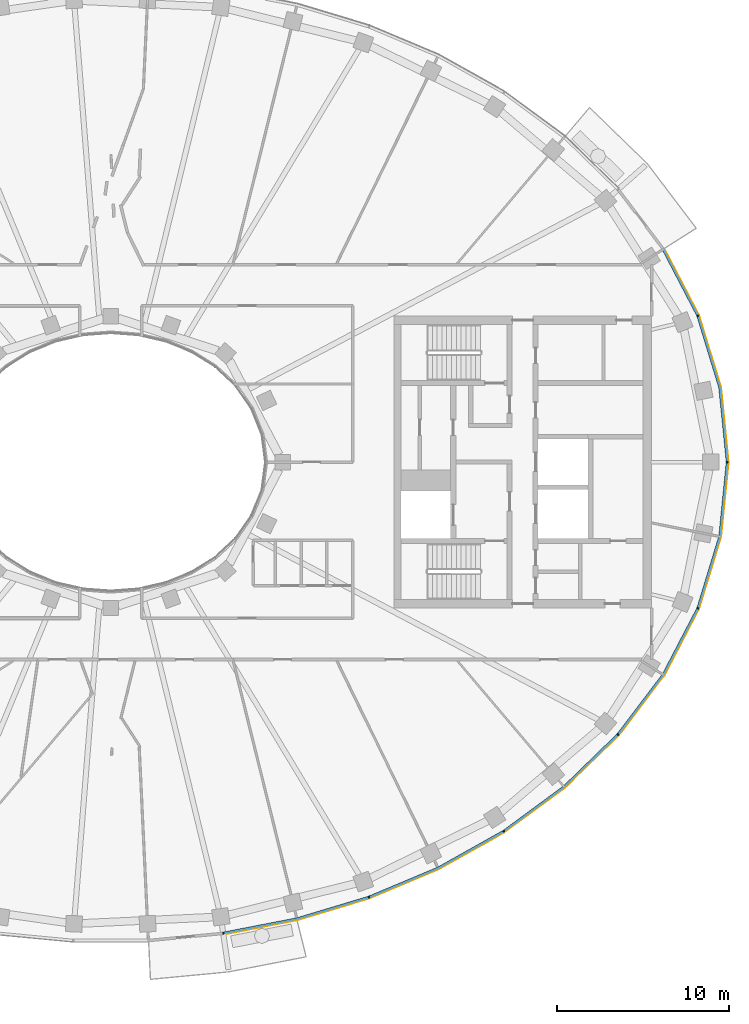
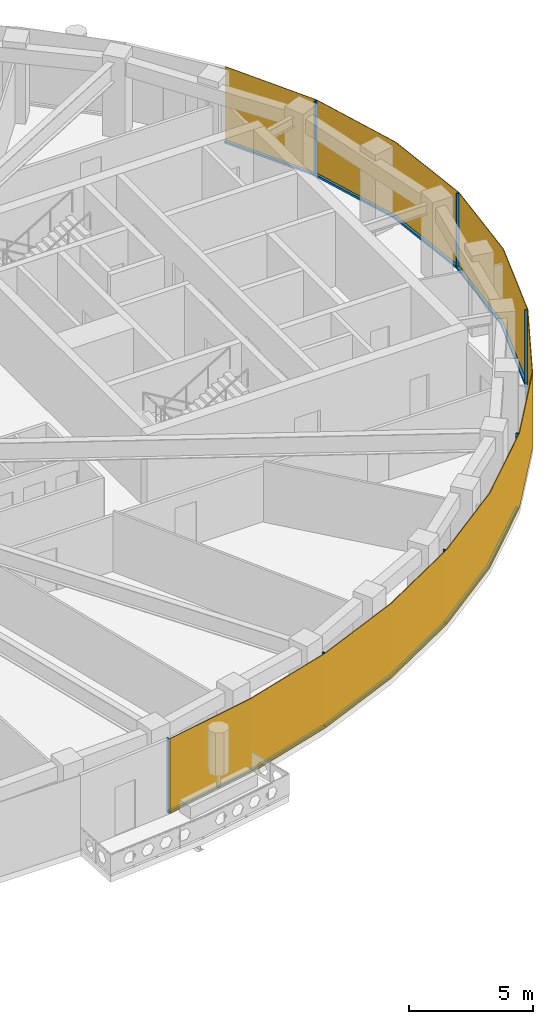
# One storey, part 10 of 16: 14 members, 1 curtain wall.
"""IFC4 building model written with IfcOpenShell, lengths in metres."""

from ifc_helpers import new_model, si_unit, direction, frame, origin, origin_2d, place, context, subcontext, project, spatial, polyline, rectangle, outline, extrude, material, layer, layer_set, material_profile, profile_set, type_object, element, aggregate, save


model = new_model("IFC4")

# Units and contexts
model_context = context("Model", 3, precision=1e-05, world=origin(), true_north=direction((0.0, 1.0)))
body_context = subcontext(model_context, "Body", "Model", "MODEL_VIEW")
ifc_project = project(units=[si_unit("LENGTHUNIT", "METRE"), si_unit("AREAUNIT", "SQUARE_METRE"), si_unit("VOLUMEUNIT", "CUBIC_METRE"), si_unit("PLANEANGLEUNIT", "RADIAN"), si_unit("MASSUNIT", "GRAM", prefix="KILO")], contexts=[model_context])

# Member
ifc_material_1 = material(Name="Aluminium 6063-T6 black anodised", Category="aluminium")
ifc_material_profile = material_profile(ifc_material_1, rectangle(XDim=0.1201171875, YDim=0.06005859375, at=origin_2d()), Name="120x60")
ifc_profile_set = profile_set([ifc_material_profile], Name="Aluminium 6063-T6 black anodised")
member_type_1 = type_object("IfcMemberType", Name="ENV-MULLION-A-120", PredefinedType="MULLION", material=ifc_profile_set)
site_placement = place(None, origin())
building_placement = place(site_placement, origin())
storey_placement = place(building_placement, frame((0.0, 0.0, 311.0)))
member_1_placement = place(storey_placement, frame((6.54638671875, -27.440185546875, 0.0), z_axis=(0.0, 0.0, 1.0), x_axis=(-0.143082012705, 0.989710835366, 0.0)))
member_1 = element("IfcMember", 1, at=member_1_placement, type_object=member_type_1, Name="Mullion A radial 37", PredefinedType="MULLION", context=body_context, shape_type="SweptSolid", body=[
    extrude(rectangle(XDim=0.1201171875, YDim=0.06005859375, at=origin_2d()), origin(), (0.0, 0.0, 1.0), 3.699951171875),
])

member_2_placement = place(storey_placement, frame((15.0341796875, -25.34375, 0.0), z_axis=(0.0, 0.0, 1.0), x_axis=(-0.338379256581, 0.941009818608, 0.0)))
member_2 = element("IfcMember", 2, at=member_2_placement, type_object=member_type_1, Name="Mullion A radial 39", PredefinedType="MULLION", context=body_context, shape_type="SweptSolid", body=[
    extrude(rectangle(XDim=0.1201171875, YDim=0.06005859375, at=origin_2d()), origin(), (0.0, 0.0, 1.0), 3.699951171875),
])

member_3_placement = place(storey_placement, frame((22.882568359375, -21.506591796875, 0.0), z_axis=(0.0, 0.0, 1.0), x_axis=(-0.542279153225, 0.840198381323, 0.0)))
member_3 = element("IfcMember", 3, at=member_3_placement, type_object=member_type_1, Name="Mullion A radial 41", PredefinedType="MULLION", context=body_context, shape_type="SweptSolid", body=[
    extrude(rectangle(XDim=0.1201171875, YDim=0.06005859375, at=origin_2d()), origin(), (0.0, 0.0, 1.0), 3.699951171875),
])

member_4_placement = place(storey_placement, frame((29.53857421875, -15.8671875, 0.0), z_axis=(0.0, 0.0, 1.0), x_axis=(-0.749047221705, 0.662516610853, 0.0)))
member_4 = element("IfcMember", 4, at=member_4_placement, type_object=member_type_1, Name="Mullion A radial 43", PredefinedType="MULLION", context=body_context, shape_type="SweptSolid", body=[
    extrude(rectangle(XDim=0.1201171875, YDim=0.06005859375, at=origin_2d()), origin(), (0.0, 0.0, 1.0), 3.699951171875),
])

member_5_placement = place(storey_placement, frame((34.19580078125, -8.513916015625, 0.0), z_axis=(0.0, 0.0, 1.0), x_axis=(-0.92546738067, 0.378827305398, 0.0)))
member_5 = element("IfcMember", 5, at=member_5_placement, type_object=member_type_1, Name="Mullion A radial 45", PredefinedType="MULLION", context=body_context, shape_type="SweptSolid", body=[
    extrude(rectangle(XDim=0.1201171875, YDim=0.06005859375, at=origin_2d()), origin(), (0.0, 0.0, 1.0), 3.699951171875),
])

member_6_placement = place(storey_placement, frame((35.907958984375, 0.0, 0.0), z_axis=(0.0, 0.0, 1.0), x_axis=(-1.0, 0.0, 0.0)))
member_6 = element("IfcMember", 6, at=member_6_placement, type_object=member_type_1, Name="Mullion A radial 01", PredefinedType="MULLION", context=body_context, shape_type="SweptSolid", body=[
    extrude(rectangle(XDim=0.1201171875, YDim=0.06005859375, at=origin_2d()), origin(), (0.0, 0.0, 1.0), 3.699951171875),
])

member_7_placement = place(storey_placement, frame((34.19580078125, 8.513916015625, 0.0), z_axis=(0.0, 0.0, 1.0), x_axis=(-0.92546738067, -0.378827305398, 0.0)))
member_7 = element("IfcMember", 7, at=member_7_placement, type_object=member_type_1, Name="Mullion A radial 03", PredefinedType="MULLION", context=body_context, shape_type="SweptSolid", body=[
    extrude(rectangle(XDim=0.1201171875, YDim=0.06005859375, at=origin_2d()), origin(), (0.0, 0.0, 1.0), 3.699951171875),
])

ifc_material_2 = material(Name="Aluminium 6063-T6 black anodised", Category="aluminium")
member_type_2 = type_object("IfcMemberType", Name="ENV-TRANSOM-A", PredefinedType="USERDEFINED", material=ifc_material_2)
member_8_placement = place(storey_placement, origin())
member_8 = element("IfcMember", 8, at=member_8_placement, type_object=member_type_2, Name="Transom A radial 37-39", ObjectType="TRANSOM", PredefinedType="USERDEFINED", context=body_context, shape_type="SweptSolid", body=[
    extrude(outline(polyline([(6.58251953125, -27.494140625), (10.857666015625, -26.6630859375), (15.027587890625, -25.408203125), (14.987060546875, -25.295166015625), (10.828857421875, -26.54638671875), (6.5654296875, -27.375244140625), (6.58251953125, -27.494140625)])), origin(), (0.0, 0.0, 1.0), 0.10009765625),
])

member_9_placement = place(storey_placement, origin())
member_9 = element("IfcMember", 9, at=member_9_placement, type_object=member_type_2, Name="Transom A radial 39-41", ObjectType="TRANSOM", PredefinedType="USERDEFINED", context=body_context, shape_type="SweptSolid", body=[
    extrude(outline(polyline([(15.080322265625, -25.389404296875), (19.093994140625, -23.701416015625), (22.890625, -21.570556640625), (22.825439453125, -21.469482421875), (19.041259765625, -23.593505859375), (15.03955078125, -25.276123046875), (15.080322265625, -25.389404296875)])), origin(), (0.0, 0.0, 1.0), 0.10009765625),
])

member_10_placement = place(storey_placement, origin())
member_10 = element("IfcMember", 10, at=member_10_placement, type_object=member_type_2, Name="Transom A radial 41-43", ObjectType="TRANSOM", PredefinedType="USERDEFINED", context=body_context, shape_type="SweptSolid", body=[
    extrude(outline(polyline([(22.937744140625, -21.540283203125), (26.4423828125, -18.958740234375), (29.5634765625, -15.926513671875), (29.473388671875, -15.8466796875), (26.364501953125, -18.866943359375), (22.87255859375, -21.439208984375), (22.937744140625, -21.540283203125)])), origin(), (0.0, 0.0, 1.0), 0.10009765625),
])

member_11_placement = place(storey_placement, origin())
member_11 = element("IfcMember", 11, at=member_11_placement, type_object=member_type_2, Name="Transom A radial 43-45", ObjectType="TRANSOM", PredefinedType="USERDEFINED", context=body_context, shape_type="SweptSolid", body=[
    extrude(outline(polyline([(29.6005859375, -15.884521484375), (32.22802734375, -12.41748046875), (34.23828125, -8.5615234375), (34.126708984375, -8.515869140625), (32.126220703125, -12.35302734375), (29.51025390625, -15.8046875), (29.6005859375, -15.884521484375)])), origin(), (0.0, 0.0, 1.0), 0.10009765625),
])

member_12_placement = place(storey_placement, origin())
member_12 = element("IfcMember", 12, at=member_12_placement, type_object=member_type_2, Name="Transom A radial 45-01", ObjectType="TRANSOM", PredefinedType="USERDEFINED", context=body_context, shape_type="SweptSolid", body=[
    extrude(outline(polyline([(34.259521484375, -8.509765625), (35.529541015625, -4.352294921875), (35.965087890625, -0.02783203125), (35.844482421875, -0.02783203125), (35.411376953125, -4.32861328125), (34.14794921875, -8.464111328125), (34.259521484375, -8.509765625)])), origin(), (0.0, 0.0, 1.0), 0.10009765625),
])

member_13_placement = place(storey_placement, origin())
member_13 = element("IfcMember", 13, at=member_13_placement, type_object=member_type_2, Name="Transom A radial 01-03", ObjectType="TRANSOM", PredefinedType="USERDEFINED", context=body_context, shape_type="SweptSolid", body=[
    extrude(outline(polyline([(35.965087890625, 0.02783203125), (35.529541015625, 4.352294921875), (34.259521484375, 8.509765625), (34.14794921875, 8.464111328125), (35.411376953125, 4.32861328125), (35.844482421875, 0.02783203125), (35.965087890625, 0.02783203125)])), origin(), (0.0, 0.0, 1.0), 0.10009765625),
])

member_14_placement = place(storey_placement, origin())
member_14 = element("IfcMember", 14, at=member_14_placement, type_object=member_type_2, Name="Transom A radial 03-04", ObjectType="TRANSOM", PredefinedType="USERDEFINED", context=body_context, shape_type="SweptSolid", body=[
    extrude(outline(polyline([(34.23828125, 8.5615234375), (32.2373046875, 12.39990234375), (32.135498046875, 12.33544921875), (34.126708984375, 8.515869140625), (34.23828125, 8.5615234375)])), origin(), (0.0, 0.0, 1.0), 0.10009765625),
])

# Site, building, storey
site = spatial("IfcSite", under=ifc_project, at=site_placement, CompositionType="ELEMENT")
building = spatial("IfcBuilding", under=site, at=building_placement, Name="Noorbagh Ring Tower", CompositionType="ELEMENT")
storey = spatial("IfcBuildingStorey", under=building, at=storey_placement, Name="L67", CompositionType="ELEMENT", Elevation=311.0)

# Curtain wall
ifc_material_3 = material(Name="Glass dark tinted laminated", Category="glass")
ifc_layer = layer(ifc_material_3, 0.031982421875)
ifc_layer_set = layer_set([ifc_layer], Name="Glass dark tinted laminated")
curtain_wall_type = type_object("IfcCurtainWallType", Name="ENV-CW-A", PredefinedType="NOTDEFINED", material=ifc_layer_set)
curtain_wall_placement = place(storey_placement, origin())
curtain_wall = element("IfcCurtainWall", 15, at=curtain_wall_placement, inside=storey, type_object=curtain_wall_type, Name="Curtain wall A R37", PredefinedType="NOTDEFINED", context=body_context, shape_type="SweptSolid", body=[
    extrude(outline(polyline([(6.579345703125, -27.52734375), (10.865234375, -26.6943359375), (15.065185546875, -25.430419921875), (19.108154296875, -23.730224609375), (22.9326171875, -21.583740234375), (26.463134765625, -18.9833984375), (29.607666015625, -15.927978515625), (32.255126953125, -12.434814453125), (34.281005859375, -8.548828125), (35.561279296875, -4.358642578125), (36.0, 0.0), (35.561279296875, 4.358642578125), (34.281005859375, 8.548828125), (32.264404296875, 12.4169921875), (32.2373046875, 12.39990234375), (34.251220703125, 8.53662109375), (35.529541015625, 4.352294921875), (35.9677734375, 0.0), (35.529541015625, -4.352294921875), (34.251220703125, -8.53662109375), (32.22802734375, -12.41748046875), (29.58349609375, -15.906982421875), (26.4423828125, -18.958740234375), (22.9150390625, -21.556884765625), (19.093994140625, -23.701416015625), (15.054443359375, -25.400146484375), (10.857666015625, -26.6630859375), (6.57470703125, -27.49560546875), (6.579345703125, -27.52734375)])), origin(), (0.0, 0.0, 1.0), 3.699951171875),
])

aggregate(curtain_wall, [member_1, member_2, member_3, member_4, member_5, member_6, member_7, member_8, member_9, member_10, member_11, member_12, member_13, member_14])

save(model, "model.ifc")
